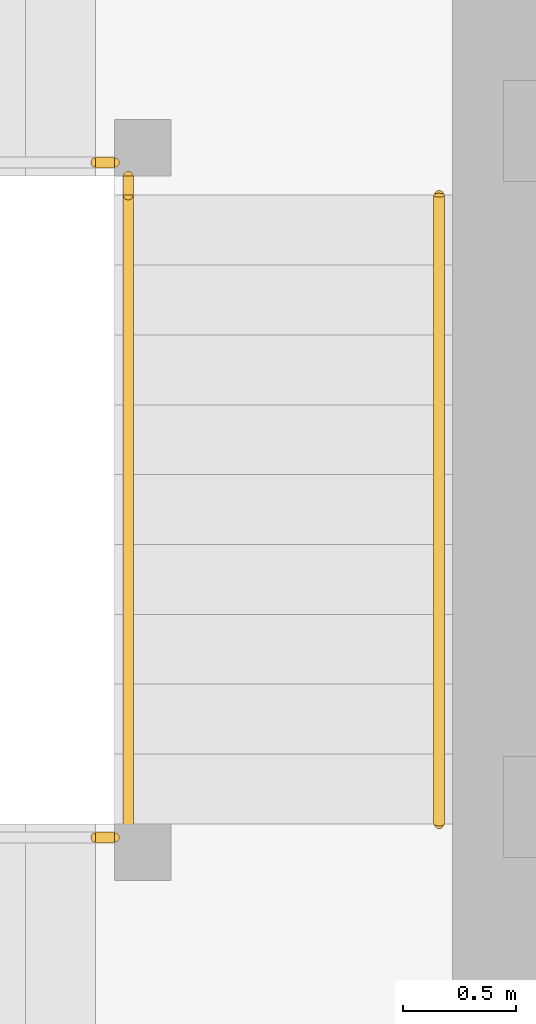
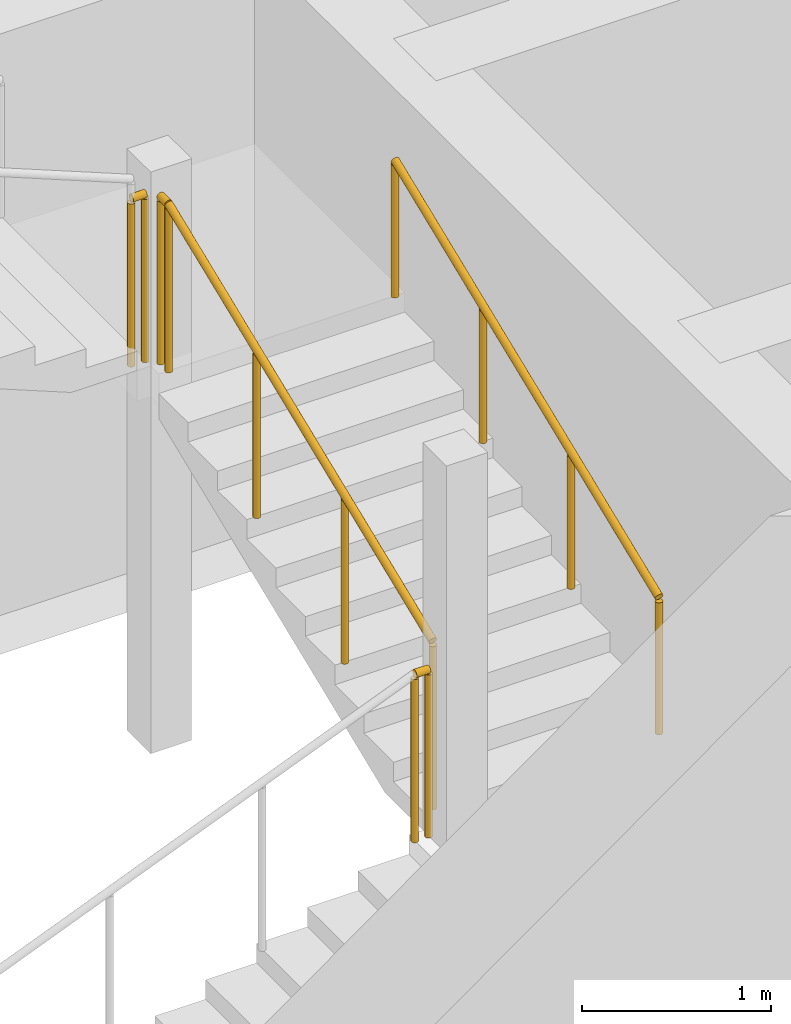
# One storey, part 31 of 35: 5 railings.
"""IFC4 building model written with IfcOpenShell, lengths in metres."""

import ifcopenshell
import ifcopenshell.guid

model = None  # the IFC model being written
_history = None  # IfcOwnerHistory: only IFC2X3 demands one
_inside = {}  # id of a spatial element -> (the spatial element, [elements in it])
_under = {}  # id of a project, library or spatial element -> (it, [spatial elements below it])
_declared = {}  # id of a project -> (the project, [libraries it declares])
_typed = {}  # id of a type object -> (the type object, [elements of that type])
_made_of = {}  # id of a material, layer set ... -> (it, [elements and type objects made of it])


def new_model(schema):
    """Start an empty IFC model of exactly this schema.

    Asked for "IFC4X3", IfcOpenShell would pick the latest addendum, in which some entities
    have other attributes; the version numbers below select the first issue.
    IFC2X3 requires an IfcOwnerHistory on every rooted entity: one is made here for all.
    """
    global model, _history
    if schema == "IFC4X3":
        model = ifcopenshell.file(schema_version=(4, 3, 0, 0))
    else:
        model = ifcopenshell.file(schema=schema)
    _inside.clear()
    _under.clear()
    _declared.clear()
    _typed.clear()
    _made_of.clear()
    _history = None
    if model.schema == "IFC2X3":
        org = make("IfcOrganization", Name="unknown")
        user = make(
            "IfcPersonAndOrganization",
            ThePerson=make("IfcPerson", FamilyName="unknown"),
            TheOrganization=org,
        )
        app = make(
            "IfcApplication",
            ApplicationDeveloper=org,
            Version="unknown",
            ApplicationFullName="unknown",
            ApplicationIdentifier="unknown",
        )
        _history = make(
            "IfcOwnerHistory",
            OwningUser=user,
            OwningApplication=app,
            ChangeAction="ADDED",
            CreationDate=0,
        )
    return model


def make(cls, **values):
    """One entity of the class cls with the attributes given. An attribute that is None is left unset."""
    return model.create_entity(
        cls, **{name: value for name, value in values.items() if value is not None}
    )


def rooted(cls, **values):
    """An entity with a GlobalId (a new one), such as an element, a storey or a relation."""
    return make(cls, GlobalId=ifcopenshell.guid.new(), OwnerHistory=_history, **values)


def si_unit(unit_type, name, prefix=None):
    """IfcSIUnit, for example si_unit("LENGTHUNIT", "METRE", prefix="MILLI")."""
    return make("IfcSIUnit", UnitType=unit_type, Prefix=prefix, Name=name)


def assignment(units):
    """IfcUnitAssignment: the units of a project."""
    return None if units is None else make("IfcUnitAssignment", Units=units)


def point(xyz):
    """IfcCartesianPoint."""
    return None if xyz is None else make("IfcCartesianPoint", Coordinates=xyz)


def direction(xyz):
    """IfcDirection."""
    return None if xyz is None else make("IfcDirection", DirectionRatios=xyz)


def frame(location, z_axis=None, x_axis=None):
    """IfcAxis2Placement3D, a coordinate frame: its origin and axes. An axis left out is left unset."""
    return make(
        "IfcAxis2Placement3D",
        Location=point(location),
        Axis=direction(z_axis),
        RefDirection=direction(x_axis),
    )


def frame_2d(location, x_axis=None):
    """IfcAxis2Placement2D, a coordinate frame in the plane: its origin and x axis."""
    return make(
        "IfcAxis2Placement2D", Location=point(location), RefDirection=direction(x_axis)
    )


def origin():
    """The frame at (0, 0, 0) with its axes left unset."""
    return frame((0.0, 0.0, 0.0))


def origin_2d():
    """The frame at (0, 0) in the plane with its x axis left unset."""
    return frame_2d((0.0, 0.0))


def place(relative_to, where):
    """IfcLocalPlacement: puts the frame where relative to a parent placement (None: the world)."""
    return make(
        "IfcLocalPlacement", PlacementRelTo=relative_to, RelativePlacement=where
    )


def context(
    kind, dimensions, precision=None, world=None, true_north=None, identifier=None
):
    """IfcGeometricRepresentationContext, for example the 3D "Model" context."""
    return make(
        "IfcGeometricRepresentationContext",
        ContextIdentifier=identifier,
        ContextType=kind,
        CoordinateSpaceDimension=dimensions,
        Precision=precision,
        WorldCoordinateSystem=world,
        TrueNorth=true_north,
    )


def subcontext(parent, identifier, kind, view, scale=None):
    """IfcGeometricRepresentationSubContext, for example "Body" below "Model"."""
    return make(
        "IfcGeometricRepresentationSubContext",
        ContextIdentifier=identifier,
        ContextType=kind,
        ParentContext=parent,
        TargetScale=scale,
        TargetView=view,
    )


def project(units=None, contexts=None):
    """IfcProject with its units and contexts."""
    return rooted(
        "IfcProject",
        Name="project",
        RepresentationContexts=contexts,
        UnitsInContext=assignment(units),
    )


def spatial(cls, under=None, at=None, **own):
    """A site, building, storey or space (cls), placed at a placement, below another one or the project."""
    s = rooted(cls, ObjectPlacement=at, **own)
    if under is not None:
        _under.setdefault(under.id(), (under, []))[1].append(s)
    return s


def profile(cls, at=None, kind="AREA", **sizes):
    """A parametric profile (cls). Its sizes go by their IFC names, for example OverallWidth=200.0."""
    return make(cls, ProfileType=kind, Position=at, **sizes)


def circle(**sizes):
    """IfcCircleProfileDef."""
    return profile("IfcCircleProfileDef", **sizes)


def extrude(swept, where, along, depth):
    """IfcExtrudedAreaSolid: the profile swept, set in the frame where, extruded along a direction by depth."""
    return make(
        "IfcExtrudedAreaSolid",
        SweptArea=swept,
        Position=where,
        ExtrudedDirection=direction(along),
        Depth=depth,
    )


def shape(context_of_items, identifier, shape_type, items):
    """IfcShapeRepresentation: the items that make up one representation, for example the "Body"."""
    return make(
        "IfcShapeRepresentation",
        ContextOfItems=context_of_items,
        RepresentationIdentifier=identifier,
        RepresentationType=shape_type,
        Items=items,
    )


def material(Name=None, Category=None):
    """IfcMaterial."""
    return make("IfcMaterial", Name=Name, Category=Category)


def made_of(thing, what):
    """Note that an element or type object is made of a material, layer set ...; save() writes the relation."""
    if what is not None:
        _made_of.setdefault(what.id(), (what, []))[1].append(thing)
    return thing


def type_object(cls, material=None, **own):
    """A type object (cls), such as IfcWallType, which elements share."""
    return made_of(rooted(cls, **own), material)


def element(
    cls,
    number,
    at=None,
    inside=None,
    cuts=None,
    type_object=None,
    material=None,
    context=None,
    identifier="Body",
    shape_type=None,
    held_by="IfcProductDefinitionShape",
    body=None,
    shapes=None,
    **own,
):
    """One element of the class cls, such as IfcWall. Its Tag is "e" and its number.

    at: its placement. inside: the storey or other place that contains it. cuts: it is an
    opening in that element (IfcRelVoidsElement). A single representation is given by context,
    identifier, shape_type and body (its items); several are given by shapes. held_by: the class
    of the entity that holds the representations. save() writes the other relations.
    """
    e = rooted(cls, Tag="e%d" % number, ObjectPlacement=at, **own)
    if body is not None:
        shapes = [shape(context, identifier, shape_type, body)]
    if shapes is not None:
        e.Representation = make(held_by, Representations=shapes)
    if inside is not None:
        _inside.setdefault(inside.id(), (inside, []))[1].append(e)
    if cuts is not None:
        rooted(
            "IfcRelVoidsElement", RelatingBuildingElement=cuts, RelatedOpeningElement=e
        )
    if type_object is not None:
        _typed.setdefault(type_object.id(), (type_object, []))[1].append(e)
    return made_of(e, material)


def aggregate(whole, parts):
    """IfcRelAggregates: a whole, such as a stair, and the parts it consists of."""
    return rooted("IfcRelAggregates", RelatingObject=whole, RelatedObjects=parts)


def save(model, path):
    """Write the relations noted so far, then the file.

    IfcRelAggregates (storeys below a building ...), IfcRelContainedInSpatialStructure (elements
    in a storey), IfcRelDefinesByType, IfcRelAssociatesMaterial and IfcRelDeclares: one each for
    every whole, place, type object, material and project.
    """
    for whole, parts in _under.values():
        aggregate(whole, parts)
    for where, things in _inside.values():
        rooted(
            "IfcRelContainedInSpatialStructure",
            RelatedElements=things,
            RelatingStructure=where,
        )
    for kind, things in _typed.values():
        rooted("IfcRelDefinesByType", RelatedObjects=things, RelatingType=kind)
    for what, things in _made_of.values():
        rooted("IfcRelAssociatesMaterial", RelatedObjects=things, RelatingMaterial=what)
    for by, libraries in _declared.values():
        rooted("IfcRelDeclares", RelatingContext=by, RelatedDefinitions=libraries)
    model.write(path)


model = new_model("IFC4")

# Units and contexts
model_context = context("Model", 3, precision=1e-05, world=origin(), true_north=direction((0.0, 1.0)))
body_context = subcontext(model_context, "Body", "Model", "MODEL_VIEW")
ifc_project = project(units=[si_unit("LENGTHUNIT", "METRE"), si_unit("AREAUNIT", "SQUARE_METRE"), si_unit("VOLUMEUNIT", "CUBIC_METRE"), si_unit("PLANEANGLEUNIT", "RADIAN"), si_unit("MASSUNIT", "GRAM", prefix="KILO")], contexts=[model_context])

# Site, building, storey
site_placement = place(None, origin())
site = spatial("IfcSite", under=ifc_project, at=site_placement, CompositionType="ELEMENT")
building_placement = place(site_placement, origin())
building = spatial("IfcBuilding", under=site, at=building_placement, Name="Rekha Terrace Tower", CompositionType="ELEMENT")
storey_placement = place(building_placement, frame((0.0, 0.0, 191.449951171875)))
storey = spatial("IfcBuildingStorey", under=building, at=storey_placement, Name="L48", CompositionType="ELEMENT", Elevation=191.449951171875)

# Railings
ifc_material_1 = material(Name="Stainless steel balustrade", Category="steel")
railing_type_1 = type_object("IfcRailingType", Name="GR1 1100 stair guard", PredefinedType="GUARDRAIL", material=ifc_material_1)
railing_1_placement = place(storey_placement, frame((30.135009765625, 41.324951171875, 1.375)))
element("IfcRailing", 1, at=railing_1_placement, inside=storey, type_object=railing_type_1, Name="Guard ST4 L48 flight 2", PredefinedType="GUARDRAIL", context=body_context, shape_type="SweptSolid", body=[
    extrude(circle(Radius=0.02392578125, at=origin_2d()), frame((0.0, 0.0, 1.076171875), z_axis=(0.0, 0.927443287984, 0.373963831907), x_axis=(-1.0, 0.0, 0.0)), (0.0, 0.0, 1.0), 3.00830078125),
    extrude(circle(Radius=0.02099609375, at=origin_2d()), origin(), (0.0, 0.0, 1.0), 1.052001953125),
    extrude(circle(Radius=0.02099609375, at=origin_2d()), frame((0.0, 0.929931640625, 0.375)), (0.0, 0.0, 1.0), 1.052001953125),
    extrude(circle(Radius=0.02099609375, at=origin_2d()), frame((0.0, 1.860107421875, 0.75)), (0.0, 0.0, 1.0), 1.052001953125),
    extrude(circle(Radius=0.02099609375, at=origin_2d()), frame((0.0, 2.7900390625, 1.125)), (0.0, 0.0, 1.0), 1.052001953125),
])
railing_2_placement = place(storey_placement, frame((29.989990234375, 41.264892578125, 1.25)))
element("IfcRailing", 2, at=railing_2_placement, inside=storey, type_object=railing_type_1, Name="Guard ST4 L48 landing 1", PredefinedType="GUARDRAIL", context=body_context, shape_type="SweptSolid", body=[
    extrude(circle(Radius=0.02392578125, at=origin_2d()), frame((0.0, 0.0, 1.076171875), z_axis=(1.0, 0.0, 0.0), x_axis=(0.0, 1.0, 0.0)), (0.0, 0.0, 1.0), 0.0849609375),
    extrude(circle(Radius=0.02099609375, at=origin_2d()), origin(), (0.0, 0.0, 1.0), 1.052001953125),
    extrude(circle(Radius=0.02099609375, at=origin_2d()), frame((0.0849609375, 0.0, 0.0)), (0.0, 0.0, 1.0), 1.052001953125),
])
railing_3_placement = place(storey_placement, frame((30.135009765625, 44.114990234375, 2.5)))
element("IfcRailing", 3, at=railing_3_placement, inside=storey, type_object=railing_type_1, Name="Guard ST4 L48 landing 2", PredefinedType="GUARDRAIL", context=body_context, shape_type="SweptSolid", body=[
    extrude(circle(Radius=0.02392578125, at=origin_2d()), frame((0.0, 0.0, 1.076171875), z_axis=(0.0, 1.0, 0.0), x_axis=(-1.0, 0.0, 0.0)), (0.0, 0.0, 1.0), 0.0849609375),
    extrude(circle(Radius=0.02099609375, at=origin_2d()), origin(), (0.0, 0.0, 1.0), 1.052001953125),
    extrude(circle(Radius=0.02099609375, at=origin_2d()), frame((0.0, 0.0849609375, 0.0)), (0.0, 0.0, 1.0), 1.052001953125),
])
railing_4_placement = place(storey_placement, frame((29.989990234375, 44.260009765625, 2.5)))
element("IfcRailing", 4, at=railing_4_placement, inside=storey, type_object=railing_type_1, Name="Guard ST4 L48 landing 3", PredefinedType="GUARDRAIL", context=body_context, shape_type="SweptSolid", body=[
    extrude(circle(Radius=0.02392578125, at=origin_2d()), frame((0.0, 0.0, 1.076171875), z_axis=(1.0, 0.0, 0.0), x_axis=(0.0, 1.0, 0.0)), (0.0, 0.0, 1.0), 0.0849609375),
    extrude(circle(Radius=0.02099609375, at=origin_2d()), origin(), (0.0, 0.0, 1.0), 1.052001953125),
    extrude(circle(Radius=0.02099609375, at=origin_2d()), frame((0.0849609375, 0.0, 0.0)), (0.0, 0.0, 1.0), 1.052001953125),
])
ifc_material_2 = material(Name="Stainless steel tube", Category="steel")
railing_type_2 = type_object("IfcRailingType", Name="HR1 900 stair handrail", PredefinedType="HANDRAIL", material=ifc_material_2)
railing_5_placement = place(storey_placement, frame((31.514892578125, 41.324951171875, 1.375)))
element("IfcRailing", 5, at=railing_5_placement, inside=storey, type_object=railing_type_2, Name="Handrail ST4 L48 flight 2", PredefinedType="HANDRAIL", context=body_context, shape_type="SweptSolid", body=[
    extrude(circle(Radius=0.02392578125, at=origin_2d()), frame((0.0, 0.0, 0.8759765625), z_axis=(0.0, 0.927443287984, 0.373963831907), x_axis=(-1.0, 0.0, 0.0)), (0.0, 0.0, 1.0), 3.00830078125),
    extrude(circle(Radius=0.02099609375, at=origin_2d()), origin(), (0.0, 0.0, 1.0), 0.851806640625),
    extrude(circle(Radius=0.02099609375, at=origin_2d()), frame((0.0, 0.929931640625, 0.375)), (0.0, 0.0, 1.0), 0.851806640625),
    extrude(circle(Radius=0.02099609375, at=origin_2d()), frame((0.0, 1.860107421875, 0.75)), (0.0, 0.0, 1.0), 0.851806640625),
    extrude(circle(Radius=0.02099609375, at=origin_2d()), frame((0.0, 2.7900390625, 1.125)), (0.0, 0.0, 1.0), 0.851806640625),
])

save(model, "model.ifc")
